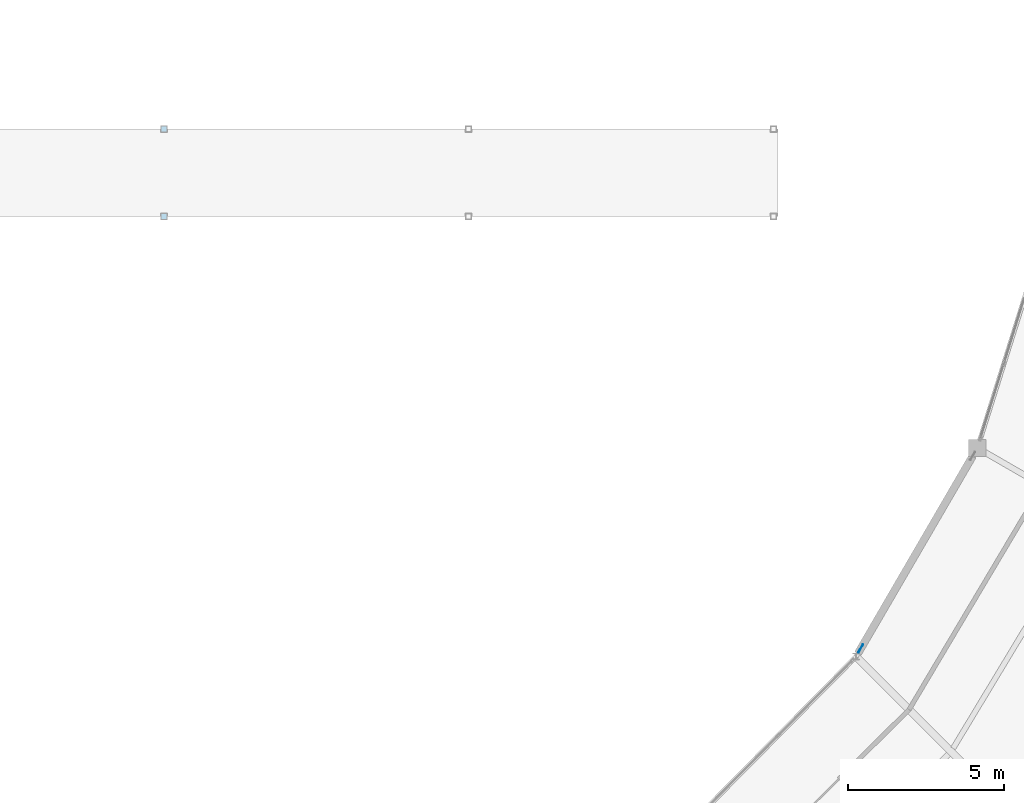
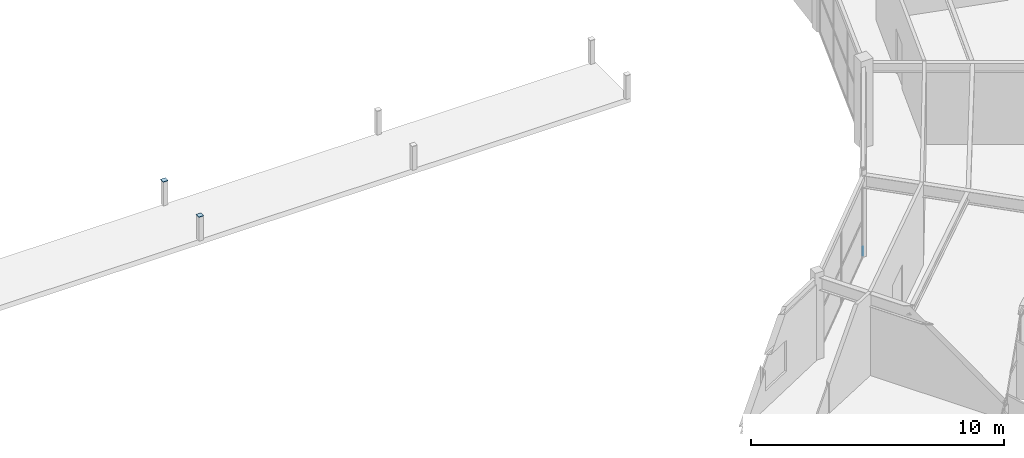
# One storey, part 129 of 157: 3 plates.
"""IFC4 building model written with IfcOpenShell, lengths in metres."""

from ifc_helpers import new_model, si_unit, direction, frame, origin, origin_2d, place, context, subcontext, project, spatial, rectangle, extrude, material, layer, layer_set, type_object, element, save


model = new_model("IFC4")

# Units and contexts
model_context = context("Model", 3, precision=1e-05, world=origin(), true_north=direction((0.0, 1.0)))
body_context = subcontext(model_context, "Body", "Model", "MODEL_VIEW")
ifc_project = project(units=[si_unit("LENGTHUNIT", "METRE"), si_unit("AREAUNIT", "SQUARE_METRE"), si_unit("VOLUMEUNIT", "CUBIC_METRE"), si_unit("PLANEANGLEUNIT", "RADIAN"), si_unit("MASSUNIT", "GRAM", prefix="KILO")], contexts=[model_context])

# Site, building, storey
site_placement = place(None, origin())
site = spatial("IfcSite", under=ifc_project, at=site_placement, CompositionType="ELEMENT")
building_placement = place(site_placement, origin())
building = spatial("IfcBuilding", under=site, at=building_placement, Name="Karori Crest Natural Sciences Institute", CompositionType="ELEMENT")
storey_placement = place(building_placement, frame((0.0, 0.0, 13.300048828125)))
storey = spatial("IfcBuildingStorey", under=building, at=storey_placement, Name="L03", CompositionType="ELEMENT", Elevation=13.300048828125)

# Plates
ifc_material = material(Name="Structural steel AS/NZS 3679.1 Grade 350", Category="steel")
ifc_layer_1 = layer(ifc_material, 0.02490234375, Name="Structural steel AS/NZS 3679.1 Grade 350")
ifc_layer_set_1 = layer_set([ifc_layer_1], Name="Structural steel AS/NZS 3679.1 Grade 350")
plate_type_1 = type_object("IfcPlateType", Name="PLT-06", PredefinedType="SHEET", material=ifc_layer_set_1)
plate_placement = place(storey_placement, frame((83.80419921875, 27.390380859375, -0.11962890625), z_axis=(0.0, 0.0, 1.0), x_axis=(0.502651840669, 0.86448893982, 0.0)))
element("IfcPlate", 1, at=plate_placement, inside=storey, type_object=plate_type_1, Name="Brace gusset plate EP-0039", PredefinedType="SHEET", context=body_context, shape_type="SweptSolid", body=[
    extrude(rectangle(XDim=0.299072265625, YDim=0.02490234375, at=origin_2d()), origin(), (0.0, 0.0, 1.0), 0.259033203125),
])
ifc_layer_2 = layer(ifc_material, 0.02490234375, Name="Structural steel AS/NZS 3679.1 Grade 350")
ifc_layer_set_2 = layer_set([ifc_layer_2], Name="Structural steel AS/NZS 3679.1 Grade 350")
plate_type_2 = type_object("IfcPlateType", Name="PLT-06-EL", PredefinedType="SHEET", material=ifc_layer_set_2)
for number, where, z_axis, x_axis, name in (
    (2, (61.530029296875, 41.199951171875, 1.14990234375), (0.0, 0.0, 1.0), (1.0, 0.0, 0.0), "Hollow section end cap EP-0161"),
    (3, (61.530029296875, 44.0, 1.14990234375), (0.0, 0.0, 1.0), (1.0, 0.0, 0.0), "Hollow section end cap EP-0164"),
):
    element("IfcPlate", number, at=place(storey_placement, frame(where, z_axis=z_axis, x_axis=x_axis)), inside=storey, type_object=plate_type_2, Name=name, PredefinedType="SHEET", context=body_context, shape_type="SweptSolid", body=[
        extrude(rectangle(XDim=0.219970703125, YDim=0.219970703125, at=origin_2d()), origin(), (0.0, 0.0, 1.0), 0.02490234375),
    ])

save(model, "model.ifc")
